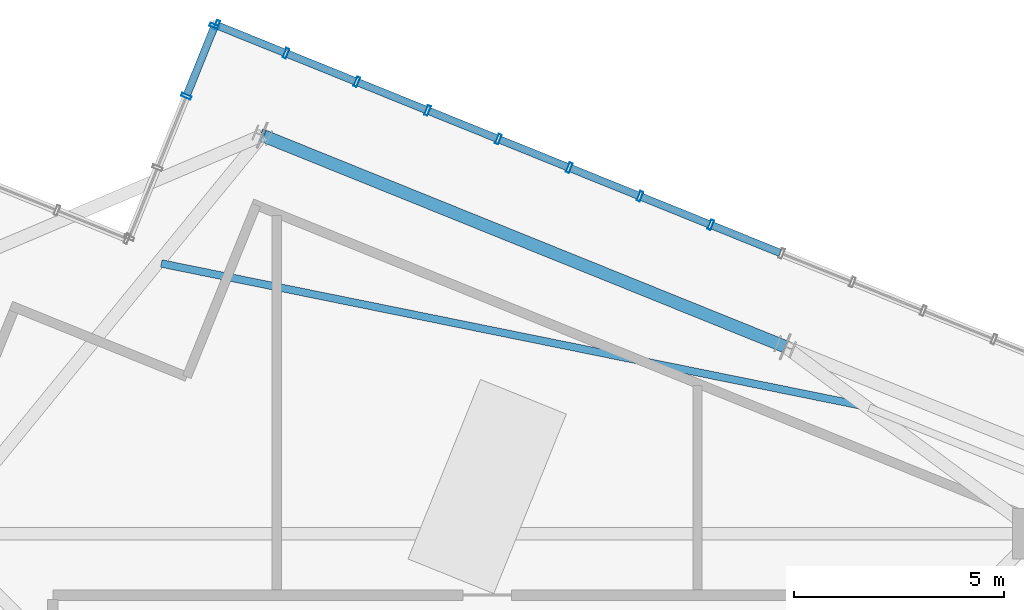
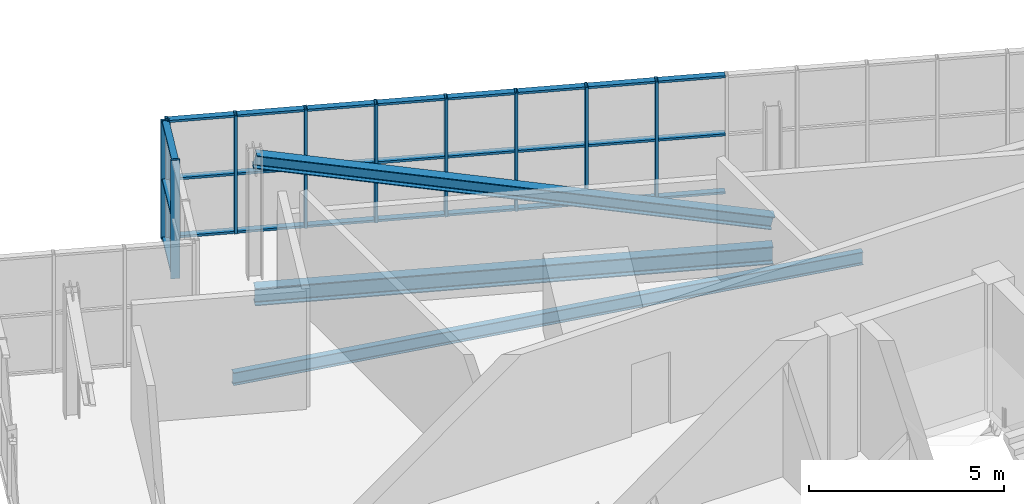
# One storey, part 15 of 26: 38 members, 2 beams, 2 elements without a shape of their own.
"""IFC4 building model written with IfcOpenShell, lengths in metres."""

from ifc_helpers import new_model, si_unit, direction, frame, origin, origin_2d, place, context, subcontext, project, spatial, hollow_rectangle, i_section, extrude, source, transform, mapped, material, layer, layer_set, material_profile, profile_set, type_object, element, aggregate, save


model = new_model("IFC4")

# Units and contexts
model_context = context("Model", 3, precision=1e-05, world=origin(), true_north=direction((0.0, 1.0)))
body_context = subcontext(model_context, "Body", "Model", "MODEL_VIEW")
ifc_project = project(units=[si_unit("LENGTHUNIT", "METRE"), si_unit("AREAUNIT", "SQUARE_METRE"), si_unit("VOLUMEUNIT", "CUBIC_METRE"), si_unit("PLANEANGLEUNIT", "RADIAN"), si_unit("MASSUNIT", "GRAM", prefix="KILO"), si_unit("THERMODYNAMICTEMPERATUREUNIT", "KELVIN")], contexts=[model_context])

# Site, building, storey
site_placement = place(None, origin())
site = spatial("IfcSite", under=ifc_project, at=site_placement, CompositionType="ELEMENT")
building_placement = place(site_placement, origin())
building = spatial("IfcBuilding", under=site, at=building_placement, Name="Kosmvard Interchange Tower", CompositionType="ELEMENT")
storey_placement = place(building_placement, frame((0.0, 0.0, 333.60009765625)))
storey = spatial("IfcBuildingStorey", under=building, at=storey_placement, Name="L82", CompositionType="ELEMENT", Elevation=333.60009765625)

# Member
ifc_material_1 = material(Name="Steel S355", Category="steel")
ifc_material_profile_1 = material_profile(ifc_material_1, i_section(OverallWidth=0.300048828125, OverallDepth=0.39990234375, WebThickness=0.013427734375, FlangeThickness=0.02392578125, FilletRadius=0.027099609375, at=origin_2d()), Name="HEB 400")
ifc_profile_set_1 = profile_set([ifc_material_profile_1], Name="Steel S355")
member_type_1 = type_object("IfcMemberType", Name="Lantern Crown Diagrid Brace HEB 400 S355", PredefinedType="BRACE", material=ifc_profile_set_1)
shared_shape_1 = source(origin(), body_context, "Body", "SweptSolid", [
    extrude(i_section(OverallWidth=0.300048828125, OverallDepth=0.39990234375, WebThickness=0.013427734375, FlangeThickness=0.02392578125, FilletRadius=0.027099609375, at=origin_2d()), origin(), (0.0, 0.0, 1.0), 13.783935546875),
])
member_1_placement = place(storey_placement, frame((7.080078125, 17.523681640625, 0.419921875), z_axis=(-0.901367558742, 0.364177999122, 0.234330768366), x_axis=(-0.374608243744, -0.927183187789, 0.0)))
element("IfcMember", 1, at=member_1_placement, inside=storey, type_object=member_type_1, Name="L82 Crown Lantern Diagrid Brace E2", PredefinedType="BRACE", context=body_context, shape_type="MappedRepresentation", body=[
    mapped(shared_shape_1, transform((0.0, 0.0, 0.0), scale=1.0)),
])

# Beams
ifc_material_profile_2 = material_profile(ifc_material_1, i_section(OverallWidth=0.300048828125, OverallDepth=0.550048828125, WebThickness=0.014892578125, FlangeThickness=0.029052734375, FilletRadius=0.027099609375, at=origin_2d()), Name="HEB 550")
ifc_profile_set_2 = profile_set([ifc_material_profile_2], Name="Steel S355")
beam_type_1 = type_object("IfcBeamType", Name="Crown Ring Cap Girder HEB 550 S355", PredefinedType="BEAM", material=ifc_profile_set_2)
shared_shape_2 = source(origin(), body_context, "Body", "SweptSolid", [
    extrude(i_section(OverallWidth=0.300048828125, OverallDepth=0.550048828125, WebThickness=0.014892578125, FlangeThickness=0.029052734375, FilletRadius=0.027099609375, at=origin_2d()), origin(), (0.0, 0.0, 1.0), 13.400146484375),
])
beam_1_placement = place(storey_placement, frame((7.080078125, 17.523681640625, -0.5751953125), z_axis=(-0.927183187789, 0.374608243744, 0.0), x_axis=(-0.374608243744, -0.927183187789, 0.0)))
element("IfcBeam", 2, at=beam_1_placement, inside=storey, type_object=beam_type_1, Name="BM-L82-PR05", PredefinedType="BEAM", context=body_context, shape_type="MappedRepresentation", body=[
    mapped(shared_shape_2, transform((0.0, 0.0, 0.0), scale=1.0)),
])
ifc_material_profile_3 = material_profile(ifc_material_1, i_section(OverallWidth=0.179931640625, OverallDepth=0.39990234375, WebThickness=0.008544921875, FlangeThickness=0.013427734375, FilletRadius=0.02099609375, at=origin_2d()), Name="IPE 400")
ifc_profile_set_3 = profile_set([ifc_material_profile_3], Name="Steel S355")
beam_type_2 = type_object("IfcBeamType", Name="Upper-Zone Floor Joist IPE 400 S355", PredefinedType="JOIST", material=ifc_profile_set_3)
shared_shape_3 = source(origin(), body_context, "Body", "SweptSolid", [
    extrude(i_section(OverallWidth=0.179931640625, OverallDepth=0.39990234375, WebThickness=0.008544921875, FlangeThickness=0.013427734375, FilletRadius=0.02099609375, at=origin_2d()), origin(), (0.0, 0.0, 1.0), 17.0029296875),
])
beam_2_placement = place(storey_placement, frame((8.921875, 16.117919921875, -0.5), z_axis=(-0.98002341059, 0.198882162837, 0.0), x_axis=(-0.198882162837, -0.98002341059, 0.0)))
element("IfcBeam", 3, at=beam_2_placement, inside=storey, type_object=beam_type_2, Name="BM-L82-FJ04", PredefinedType="JOIST", context=body_context, shape_type="MappedRepresentation", body=[
    mapped(shared_shape_3, transform((0.0, 0.0, 0.0), scale=1.0)),
])

# Curtain wall, members
ifc_material_2 = material(Name="Architectural anodised aluminium", Category="aluminium")
ifc_layer = layer(ifc_material_2, 0.25, Name="Architectural anodised aluminium")
ifc_layer_set = layer_set([ifc_layer], Name="Architectural anodised aluminium")
curtain_wall_type = type_object("IfcCurtainWallType", Name="CW-6 Illuminated Crown Lantern Curtain Wall", PredefinedType="NOTDEFINED", material=ifc_layer_set)
curtain_wall_1_placement = place(storey_placement, origin())
curtain_wall_1 = element("IfcCurtainWall", 4, at=curtain_wall_1_placement, inside=storey, type_object=curtain_wall_type, Name="L82 Crown Lantern Glazing Face 04", PredefinedType="NOTDEFINED")
ifc_material_profile_4 = material_profile(ifc_material_2, hollow_rectangle(XDim=0.239990234375, YDim=0.080078125, WallThickness=0.006103515625, at=origin_2d()), Name="CWM 240x80x6")
ifc_profile_set_4 = profile_set([ifc_material_profile_4], Name="Architectural anodised aluminium")
member_type_2 = type_object("IfcMemberType", Name="Lantern & Observation CW Mullion 240x80 Aluminium", PredefinedType="MULLION", material=ifc_profile_set_4)
shared_shape_4 = source(origin(), body_context, "Body", "SweptSolid", [
    extrude(hollow_rectangle(XDim=0.239990234375, YDim=0.080078125, WallThickness=0.006103515625, at=origin_2d()), origin(), (0.0, 0.0, 1.0), 3.699951171875),
])
member_2_placement = place(storey_placement, frame((5.313720703125, 20.416015625, 0.0), z_axis=(0.0, 0.0, 1.0), x_axis=(-0.374606584758, -0.927183858065, 0.0)))
member_2 = element("IfcMember", 5, at=member_2_placement, type_object=member_type_2, Name="CW-6 mullion 11", PredefinedType="MULLION", context=body_context, shape_type="MappedRepresentation", body=[
    mapped(shared_shape_4, transform((0.0, 0.0, 0.0), scale=1.0)),
])
member_3_placement = place(storey_placement, frame((3.6318359375, 21.095703125, 0.0), z_axis=(0.0, 0.0, 1.0), x_axis=(-0.374606584758, -0.927183858065, 0.0)))
member_3 = element("IfcMember", 6, at=member_3_placement, type_object=member_type_2, Name="CW-6 mullion 12", PredefinedType="MULLION", context=body_context, shape_type="MappedRepresentation", body=[
    mapped(shared_shape_4, transform((0.0, 0.0, 0.0), scale=1.0)),
])
member_4_placement = place(storey_placement, frame((1.94970703125, 21.775146484375, 0.0), z_axis=(0.0, 0.0, 1.0), x_axis=(-0.374606584758, -0.927183858065, 0.0)))
member_4 = element("IfcMember", 7, at=member_4_placement, type_object=member_type_2, Name="CW-6 mullion 13", PredefinedType="MULLION", context=body_context, shape_type="MappedRepresentation", body=[
    mapped(shared_shape_4, transform((0.0, 0.0, 0.0), scale=1.0)),
])
member_5_placement = place(storey_placement, frame((0.267578125, 22.454833984375, 0.0), z_axis=(0.0, 0.0, 1.0), x_axis=(-0.374606584758, -0.927183858065, 0.0)))
member_5 = element("IfcMember", 8, at=member_5_placement, type_object=member_type_2, Name="CW-6 mullion 14", PredefinedType="MULLION", context=body_context, shape_type="MappedRepresentation", body=[
    mapped(shared_shape_4, transform((0.0, 0.0, 0.0), scale=1.0)),
])
member_6_placement = place(storey_placement, frame((-1.414306640625, 23.13427734375, 0.0), z_axis=(0.0, 0.0, 1.0), x_axis=(-0.374606584758, -0.927183858065, 0.0)))
member_6 = element("IfcMember", 9, at=member_6_placement, type_object=member_type_2, Name="CW-6 mullion 15", PredefinedType="MULLION", context=body_context, shape_type="MappedRepresentation", body=[
    mapped(shared_shape_4, transform((0.0, 0.0, 0.0), scale=1.0)),
])
member_7_placement = place(storey_placement, frame((-3.096435546875, 23.81396484375, 0.0), z_axis=(0.0, 0.0, 1.0), x_axis=(-0.374606584758, -0.927183858065, 0.0)))
member_7 = element("IfcMember", 10, at=member_7_placement, type_object=member_type_2, Name="CW-6 mullion 16", PredefinedType="MULLION", context=body_context, shape_type="MappedRepresentation", body=[
    mapped(shared_shape_4, transform((0.0, 0.0, 0.0), scale=1.0)),
])
member_8_placement = place(storey_placement, frame((-4.7783203125, 24.49365234375, 0.0), z_axis=(0.0, 0.0, 1.0), x_axis=(-0.374606584758, -0.927183858065, 0.0)))
member_8 = element("IfcMember", 11, at=member_8_placement, type_object=member_type_2, Name="CW-6 mullion 17", PredefinedType="MULLION", context=body_context, shape_type="MappedRepresentation", body=[
    mapped(shared_shape_4, transform((0.0, 0.0, 0.0), scale=1.0)),
])
member_9_placement = place(storey_placement, frame((-6.42333984375, 25.158203125, 0.0), z_axis=(0.0, 0.0, 1.0), x_axis=(-0.374606584758, -0.927183858065, 0.0)))
member_9 = element("IfcMember", 12, at=member_9_placement, type_object=member_type_2, Name="CW-6 mullion 18", PredefinedType="MULLION", context=body_context, shape_type="MappedRepresentation", body=[
    mapped(shared_shape_4, transform((0.0, 0.0, 0.0), scale=1.0)),
])

curtain_wall_2_placement = place(storey_placement, origin())
curtain_wall_2 = element("IfcCurtainWall", 13, at=curtain_wall_2_placement, inside=storey, type_object=curtain_wall_type, Name="L82 Crown Lantern Glazing Face 05", PredefinedType="NOTDEFINED")
member_10_placement = place(storey_placement, frame((-6.475341796875, 25.135986328125, 0.0), z_axis=(0.0, 0.0, 1.0), x_axis=(0.92718386612, -0.374606564822, 0.0)))
member_10 = element("IfcMember", 14, at=member_10_placement, type_object=member_type_2, Name="CW-6 mullion 1", PredefinedType="MULLION", context=body_context, shape_type="MappedRepresentation", body=[
    mapped(shared_shape_4, transform((0.0, 0.0, 0.0), scale=1.0)),
])
member_11_placement = place(storey_placement, frame((-7.147216796875, 23.473388671875, 0.0), z_axis=(0.0, 0.0, 1.0), x_axis=(0.92718386612, -0.374606564822, 0.0)))
member_11 = element("IfcMember", 15, at=member_11_placement, type_object=member_type_2, Name="CW-6 mullion 2", PredefinedType="MULLION", context=body_context, shape_type="MappedRepresentation", body=[
    mapped(shared_shape_4, transform((0.0, 0.0, 0.0), scale=1.0)),
])

# Member
ifc_material_profile_5 = material_profile(ifc_material_2, hollow_rectangle(XDim=0.179931640625, YDim=0.070068359375, WallThickness=0.0048828125, at=origin_2d()), Name="CWT 180x70x5")
ifc_profile_set_5 = profile_set([ifc_material_profile_5], Name="Architectural anodised aluminium")
member_type_3 = type_object("IfcMemberType", Name="Heavy Lantern CW Transom 180x70 Aluminium", PredefinedType="USERDEFINED", material=ifc_profile_set_5)
shared_shape_5 = source(origin(), body_context, "Body", "SweptSolid", [
    extrude(hollow_rectangle(XDim=0.179931640625, YDim=0.070068359375, WallThickness=0.0048828125, at=origin_2d()), origin(), (0.0, 0.0, 1.0), 1.694091796875),
])
member_12_placement = place(storey_placement, frame((-4.8154296875, 24.508544921875, 0.034912109375), z_axis=(-0.927209116514, 0.374544061831, 0.0), x_axis=(-0.374544061831, -0.927209116514, 0.0)))
member_12 = element("IfcMember", 16, at=member_12_placement, type_object=member_type_3, Name="CW-6 transom 17.1", ObjectType="TRANSOM", PredefinedType="USERDEFINED", context=body_context, shape_type="MappedRepresentation", body=[
    mapped(shared_shape_5, transform((0.0, 0.0, 0.0), scale=1.0)),
])

member_13_placement = place(storey_placement, frame((-4.8154296875, 24.508544921875, 1.849853515625), z_axis=(-0.927209116514, 0.374544061831, 0.0), x_axis=(-0.374544061831, -0.927209116514, 0.0)))
member_13 = element("IfcMember", 17, at=member_13_placement, type_object=member_type_3, Name="CW-6 transom 17.2", ObjectType="TRANSOM", PredefinedType="USERDEFINED", context=body_context, shape_type="MappedRepresentation", body=[
    mapped(shared_shape_5, transform((0.0, 0.0, 0.0), scale=1.0)),
])

member_14_placement = place(storey_placement, frame((-4.8154296875, 24.508544921875, 3.664794921875), z_axis=(-0.927209116514, 0.374544061831, 0.0), x_axis=(-0.374544061831, -0.927209116514, 0.0)))
member_14 = element("IfcMember", 18, at=member_14_placement, type_object=member_type_3, Name="CW-6 transom 17.3", ObjectType="TRANSOM", PredefinedType="USERDEFINED", context=body_context, shape_type="MappedRepresentation", body=[
    mapped(shared_shape_5, transform((0.0, 0.0, 0.0), scale=1.0)),
])

shared_shape_6 = source(origin(), body_context, "Body", "SweptSolid", [
    extrude(hollow_rectangle(XDim=0.179931640625, YDim=0.070068359375, WallThickness=0.0048828125, at=origin_2d()), origin(), (0.0, 0.0, 1.0), 1.734130859375),
])
member_15_placement = place(storey_placement, frame((6.958740234375, 19.75146484375, 0.034912109375), z_axis=(-0.927179782522, 0.374616671924, 0.0), x_axis=(-0.374616671924, -0.927179782522, 0.0)))
member_15 = element("IfcMember", 19, at=member_15_placement, type_object=member_type_3, Name="CW-6 transom 10.1", ObjectType="TRANSOM", PredefinedType="USERDEFINED", context=body_context, shape_type="MappedRepresentation", body=[
    mapped(shared_shape_6, transform((0.0, 0.0, 0.0), scale=1.0)),
])

member_16_placement = place(storey_placement, frame((6.958740234375, 19.75146484375, 1.849853515625), z_axis=(-0.927179782522, 0.374616671924, 0.0), x_axis=(-0.374616671924, -0.927179782522, 0.0)))
member_16 = element("IfcMember", 20, at=member_16_placement, type_object=member_type_3, Name="CW-6 transom 10.2", ObjectType="TRANSOM", PredefinedType="USERDEFINED", context=body_context, shape_type="MappedRepresentation", body=[
    mapped(shared_shape_6, transform((0.0, 0.0, 0.0), scale=1.0)),
])

member_17_placement = place(storey_placement, frame((6.958740234375, 19.75146484375, 3.664794921875), z_axis=(-0.927179782522, 0.374616671924, 0.0), x_axis=(-0.374616671924, -0.927179782522, 0.0)))
member_17 = element("IfcMember", 21, at=member_17_placement, type_object=member_type_3, Name="CW-6 transom 10.3", ObjectType="TRANSOM", PredefinedType="USERDEFINED", context=body_context, shape_type="MappedRepresentation", body=[
    mapped(shared_shape_6, transform((0.0, 0.0, 0.0), scale=1.0)),
])

member_18_placement = place(storey_placement, frame((5.276611328125, 20.43115234375, 0.034912109375), z_axis=(-0.927228675447, 0.374495638732, 0.0), x_axis=(-0.374495638732, -0.927228675447, 0.0)))
member_18 = element("IfcMember", 22, at=member_18_placement, type_object=member_type_3, Name="CW-6 transom 11.1", ObjectType="TRANSOM", PredefinedType="USERDEFINED", context=body_context, shape_type="MappedRepresentation", body=[
    mapped(shared_shape_6, transform((0.0, 0.0, 0.0), scale=1.0)),
])

member_19_placement = place(storey_placement, frame((5.276611328125, 20.43115234375, 1.849853515625), z_axis=(-0.927228675447, 0.374495638732, 0.0), x_axis=(-0.374495638732, -0.927228675447, 0.0)))
member_19 = element("IfcMember", 23, at=member_19_placement, type_object=member_type_3, Name="CW-6 transom 11.2", ObjectType="TRANSOM", PredefinedType="USERDEFINED", context=body_context, shape_type="MappedRepresentation", body=[
    mapped(shared_shape_6, transform((0.0, 0.0, 0.0), scale=1.0)),
])

member_20_placement = place(storey_placement, frame((5.276611328125, 20.43115234375, 3.664794921875), z_axis=(-0.927228675447, 0.374495638732, 0.0), x_axis=(-0.374495638732, -0.927228675447, 0.0)))
member_20 = element("IfcMember", 24, at=member_20_placement, type_object=member_type_3, Name="CW-6 transom 11.3", ObjectType="TRANSOM", PredefinedType="USERDEFINED", context=body_context, shape_type="MappedRepresentation", body=[
    mapped(shared_shape_6, transform((0.0, 0.0, 0.0), scale=1.0)),
])

member_21_placement = place(storey_placement, frame((3.5947265625, 21.110595703125, 0.034912109375), z_axis=(-0.927179782522, 0.374616671924, 0.0), x_axis=(-0.374616671924, -0.927179782522, 0.0)))
member_21 = element("IfcMember", 25, at=member_21_placement, type_object=member_type_3, Name="CW-6 transom 12.1", ObjectType="TRANSOM", PredefinedType="USERDEFINED", context=body_context, shape_type="MappedRepresentation", body=[
    mapped(shared_shape_6, transform((0.0, 0.0, 0.0), scale=1.0)),
])

member_22_placement = place(storey_placement, frame((3.5947265625, 21.110595703125, 1.849853515625), z_axis=(-0.927179782522, 0.374616671924, 0.0), x_axis=(-0.374616671924, -0.927179782522, 0.0)))
member_22 = element("IfcMember", 26, at=member_22_placement, type_object=member_type_3, Name="CW-6 transom 12.2", ObjectType="TRANSOM", PredefinedType="USERDEFINED", context=body_context, shape_type="MappedRepresentation", body=[
    mapped(shared_shape_6, transform((0.0, 0.0, 0.0), scale=1.0)),
])

member_23_placement = place(storey_placement, frame((3.5947265625, 21.110595703125, 3.664794921875), z_axis=(-0.927179782522, 0.374616671924, 0.0), x_axis=(-0.374616671924, -0.927179782522, 0.0)))
member_23 = element("IfcMember", 27, at=member_23_placement, type_object=member_type_3, Name="CW-6 transom 12.3", ObjectType="TRANSOM", PredefinedType="USERDEFINED", context=body_context, shape_type="MappedRepresentation", body=[
    mapped(shared_shape_6, transform((0.0, 0.0, 0.0), scale=1.0)),
])

member_24_placement = place(storey_placement, frame((1.91259765625, 21.790283203125, 0.034912109375), z_axis=(-0.927228675447, 0.374495638732, 0.0), x_axis=(-0.374495638732, -0.927228675447, 0.0)))
member_24 = element("IfcMember", 28, at=member_24_placement, type_object=member_type_3, Name="CW-6 transom 13.1", ObjectType="TRANSOM", PredefinedType="USERDEFINED", context=body_context, shape_type="MappedRepresentation", body=[
    mapped(shared_shape_6, transform((0.0, 0.0, 0.0), scale=1.0)),
])

member_25_placement = place(storey_placement, frame((1.91259765625, 21.790283203125, 1.849853515625), z_axis=(-0.927228675447, 0.374495638732, 0.0), x_axis=(-0.374495638732, -0.927228675447, 0.0)))
member_25 = element("IfcMember", 29, at=member_25_placement, type_object=member_type_3, Name="CW-6 transom 13.2", ObjectType="TRANSOM", PredefinedType="USERDEFINED", context=body_context, shape_type="MappedRepresentation", body=[
    mapped(shared_shape_6, transform((0.0, 0.0, 0.0), scale=1.0)),
])

member_26_placement = place(storey_placement, frame((1.91259765625, 21.790283203125, 3.664794921875), z_axis=(-0.927228675447, 0.374495638732, 0.0), x_axis=(-0.374495638732, -0.927228675447, 0.0)))
member_26 = element("IfcMember", 30, at=member_26_placement, type_object=member_type_3, Name="CW-6 transom 13.3", ObjectType="TRANSOM", PredefinedType="USERDEFINED", context=body_context, shape_type="MappedRepresentation", body=[
    mapped(shared_shape_6, transform((0.0, 0.0, 0.0), scale=1.0)),
])

member_27_placement = place(storey_placement, frame((-1.451416015625, 23.1494140625, 0.034912109375), z_axis=(-0.927179782522, 0.374616671924, 0.0), x_axis=(-0.374616671924, -0.927179782522, 0.0)))
member_27 = element("IfcMember", 31, at=member_27_placement, type_object=member_type_3, Name="CW-6 transom 15.1", ObjectType="TRANSOM", PredefinedType="USERDEFINED", context=body_context, shape_type="MappedRepresentation", body=[
    mapped(shared_shape_6, transform((0.0, 0.0, 0.0), scale=1.0)),
])

member_28_placement = place(storey_placement, frame((-1.451416015625, 23.1494140625, 1.849853515625), z_axis=(-0.927179782522, 0.374616671924, 0.0), x_axis=(-0.374616671924, -0.927179782522, 0.0)))
member_28 = element("IfcMember", 32, at=member_28_placement, type_object=member_type_3, Name="CW-6 transom 15.2", ObjectType="TRANSOM", PredefinedType="USERDEFINED", context=body_context, shape_type="MappedRepresentation", body=[
    mapped(shared_shape_6, transform((0.0, 0.0, 0.0), scale=1.0)),
])

member_29_placement = place(storey_placement, frame((-1.451416015625, 23.1494140625, 3.664794921875), z_axis=(-0.927179782522, 0.374616671924, 0.0), x_axis=(-0.374616671924, -0.927179782522, 0.0)))
member_29 = element("IfcMember", 33, at=member_29_placement, type_object=member_type_3, Name="CW-6 transom 15.3", ObjectType="TRANSOM", PredefinedType="USERDEFINED", context=body_context, shape_type="MappedRepresentation", body=[
    mapped(shared_shape_6, transform((0.0, 0.0, 0.0), scale=1.0)),
])

shared_shape_7 = source(origin(), body_context, "Body", "SweptSolid", [
    extrude(hollow_rectangle(XDim=0.179931640625, YDim=0.070068359375, WallThickness=0.0048828125, at=origin_2d()), origin(), (0.0, 0.0, 1.0), 1.73388671875),
])
member_30_placement = place(storey_placement, frame((0.23046875, 22.4697265625, 0.034912109375), z_axis=(-0.927160021861, 0.374665576032, 0.0), x_axis=(-0.374665576032, -0.927160021861, 0.0)))
member_30 = element("IfcMember", 34, at=member_30_placement, type_object=member_type_3, Name="CW-6 transom 14.1", ObjectType="TRANSOM", PredefinedType="USERDEFINED", context=body_context, shape_type="MappedRepresentation", body=[
    mapped(shared_shape_7, transform((0.0, 0.0, 0.0), scale=1.0)),
])

member_31_placement = place(storey_placement, frame((0.23046875, 22.4697265625, 1.849853515625), z_axis=(-0.927160021861, 0.374665576032, 0.0), x_axis=(-0.374665576032, -0.927160021861, 0.0)))
member_31 = element("IfcMember", 35, at=member_31_placement, type_object=member_type_3, Name="CW-6 transom 14.2", ObjectType="TRANSOM", PredefinedType="USERDEFINED", context=body_context, shape_type="MappedRepresentation", body=[
    mapped(shared_shape_7, transform((0.0, 0.0, 0.0), scale=1.0)),
])

member_32_placement = place(storey_placement, frame((0.23046875, 22.4697265625, 3.664794921875), z_axis=(-0.927160021861, 0.374665576032, 0.0), x_axis=(-0.374665576032, -0.927160021861, 0.0)))
member_32 = element("IfcMember", 36, at=member_32_placement, type_object=member_type_3, Name="CW-6 transom 14.3", ObjectType="TRANSOM", PredefinedType="USERDEFINED", context=body_context, shape_type="MappedRepresentation", body=[
    mapped(shared_shape_7, transform((0.0, 0.0, 0.0), scale=1.0)),
])

member_33_placement = place(storey_placement, frame((-3.133544921875, 23.828857421875, 0.034912109375), z_axis=(-0.927160021861, 0.374665576032, 0.0), x_axis=(-0.374665576032, -0.927160021861, 0.0)))
member_33 = element("IfcMember", 37, at=member_33_placement, type_object=member_type_3, Name="CW-6 transom 16.1", ObjectType="TRANSOM", PredefinedType="USERDEFINED", context=body_context, shape_type="MappedRepresentation", body=[
    mapped(shared_shape_7, transform((0.0, 0.0, 0.0), scale=1.0)),
])

member_34_placement = place(storey_placement, frame((-3.133544921875, 23.828857421875, 1.849853515625), z_axis=(-0.927160021861, 0.374665576032, 0.0), x_axis=(-0.374665576032, -0.927160021861, 0.0)))
member_34 = element("IfcMember", 38, at=member_34_placement, type_object=member_type_3, Name="CW-6 transom 16.2", ObjectType="TRANSOM", PredefinedType="USERDEFINED", context=body_context, shape_type="MappedRepresentation", body=[
    mapped(shared_shape_7, transform((0.0, 0.0, 0.0), scale=1.0)),
])

member_35_placement = place(storey_placement, frame((-3.133544921875, 23.828857421875, 3.664794921875), z_axis=(-0.927160021861, 0.374665576032, 0.0), x_axis=(-0.374665576032, -0.927160021861, 0.0)))
member_35 = element("IfcMember", 39, at=member_35_placement, type_object=member_type_3, Name="CW-6 transom 16.3", ObjectType="TRANSOM", PredefinedType="USERDEFINED", context=body_context, shape_type="MappedRepresentation", body=[
    mapped(shared_shape_7, transform((0.0, 0.0, 0.0), scale=1.0)),
])

aggregate(curtain_wall_1, [member_2, member_3, member_4, member_5, member_6, member_7, member_8, member_9, member_15, member_16, member_17, member_18, member_19, member_20, member_21, member_22, member_23, member_24, member_25, member_26, member_30, member_31, member_32, member_27, member_28, member_29, member_33, member_34, member_35, member_12, member_13, member_14])

shared_shape_8 = source(origin(), body_context, "Body", "SweptSolid", [
    extrude(hollow_rectangle(XDim=0.179931640625, YDim=0.070068359375, WallThickness=0.0048828125, at=origin_2d()), origin(), (0.0, 0.0, 1.0), 1.71337890625),
])
member_36_placement = place(storey_placement, frame((-6.490478515625, 25.098876953125, 0.034912109375), z_axis=(-0.374484254265, -0.927233273404, 0.0), x_axis=(0.927233273404, -0.374484254265, 0.0)))
member_36 = element("IfcMember", 40, at=member_36_placement, type_object=member_type_3, Name="CW-6 transom 1.1", ObjectType="TRANSOM", PredefinedType="USERDEFINED", context=body_context, shape_type="MappedRepresentation", body=[
    mapped(shared_shape_8, transform((0.0, 0.0, 0.0), scale=1.0)),
])

member_37_placement = place(storey_placement, frame((-6.490478515625, 25.098876953125, 1.849853515625), z_axis=(-0.374484254265, -0.927233273404, 0.0), x_axis=(0.927233273404, -0.374484254265, 0.0)))
member_37 = element("IfcMember", 41, at=member_37_placement, type_object=member_type_3, Name="CW-6 transom 1.2", ObjectType="TRANSOM", PredefinedType="USERDEFINED", context=body_context, shape_type="MappedRepresentation", body=[
    mapped(shared_shape_8, transform((0.0, 0.0, 0.0), scale=1.0)),
])

member_38_placement = place(storey_placement, frame((-6.490478515625, 25.098876953125, 3.664794921875), z_axis=(-0.374484254265, -0.927233273404, 0.0), x_axis=(0.927233273404, -0.374484254265, 0.0)))
member_38 = element("IfcMember", 42, at=member_38_placement, type_object=member_type_3, Name="CW-6 transom 1.3", ObjectType="TRANSOM", PredefinedType="USERDEFINED", context=body_context, shape_type="MappedRepresentation", body=[
    mapped(shared_shape_8, transform((0.0, 0.0, 0.0), scale=1.0)),
])

aggregate(curtain_wall_2, [member_10, member_11, member_36, member_37, member_38])

save(model, "model.ifc")
